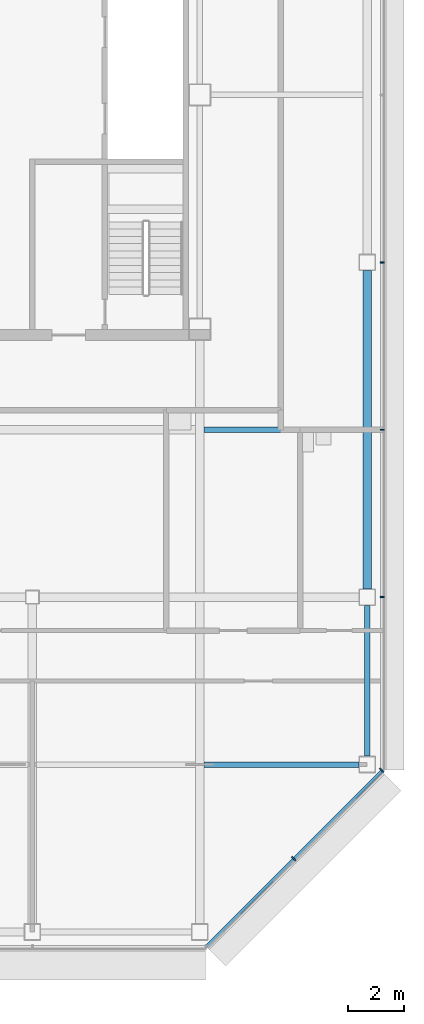
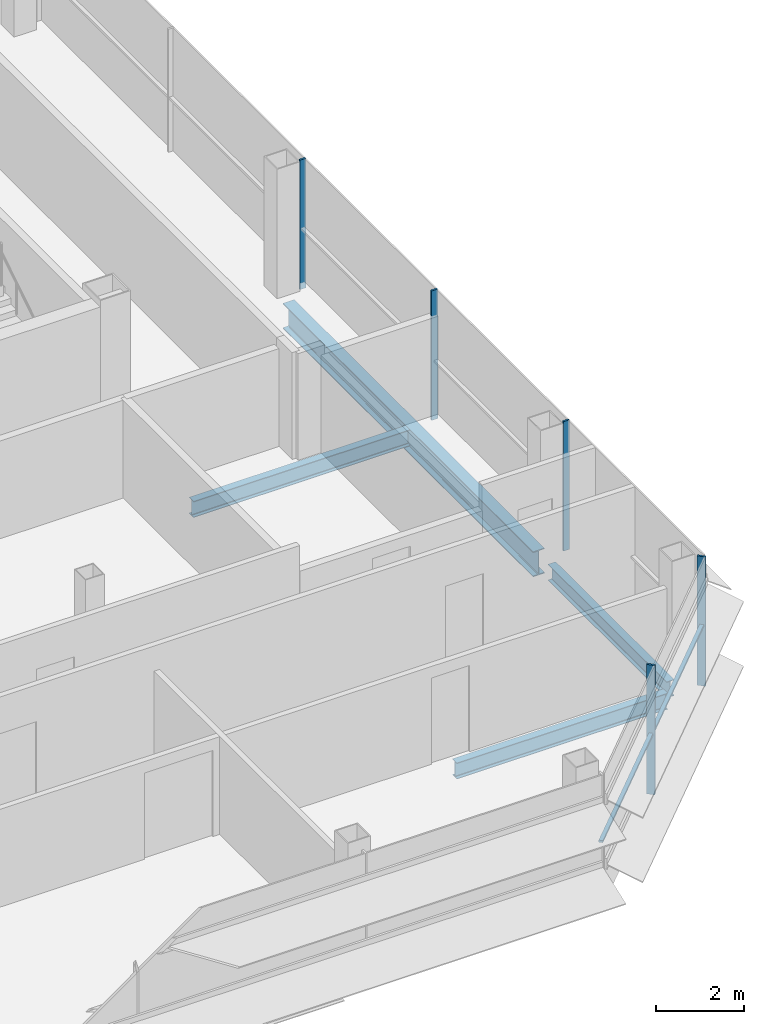
# One storey, part 16 of 27: 6 members, 4 beams, 2 elements without a shape of their own.
"""IFC4 building model written with IfcOpenShell, lengths in metres."""

from ifc_helpers import new_model, si_unit, direction, frame, origin, origin_2d, place, context, subcontext, project, spatial, rectangle, i_section, extrude, material, material_profile, profile_set, type_object, element, aggregate, save


model = new_model("IFC4")

# Units and contexts
model_context = context("Model", 3, precision=1e-05, world=origin(), true_north=direction((0.0, 1.0)))
body_context = subcontext(model_context, "Body", "Model", "MODEL_VIEW")
ifc_project = project(units=[si_unit("LENGTHUNIT", "METRE"), si_unit("AREAUNIT", "SQUARE_METRE"), si_unit("VOLUMEUNIT", "CUBIC_METRE"), si_unit("PLANEANGLEUNIT", "RADIAN"), si_unit("MASSUNIT", "GRAM", prefix="KILO")], contexts=[model_context])

# Site, building, storey
site_placement = place(None, origin())
site = spatial("IfcSite", under=ifc_project, at=site_placement, CompositionType="ELEMENT")
building_placement = place(site_placement, origin())
building = spatial("IfcBuilding", under=site, at=building_placement, Name="Sorahane Residences", CompositionType="ELEMENT")
storey_placement = place(building_placement, frame((0.0, 0.0, 294.39990234375)))
storey = spatial("IfcBuildingStorey", under=building, at=storey_placement, Name="L69", CompositionType="ELEMENT", Elevation=294.39990234375)

# Curtain wall, members
ifc_material_1 = material(Name="Dark low-e glass and black anodised aluminium", Category="aluminium")
curtain_wall_type_1 = type_object("IfcCurtainWallType", Name="Curtain wall CW-1 Typical unitised wall", PredefinedType="NOTDEFINED", material=ifc_material_1)
curtain_wall_1_placement = place(storey_placement, origin())
curtain_wall_1 = element("IfcCurtainWall", 1, at=curtain_wall_1_placement, inside=storey, type_object=curtain_wall_type_1, Name="CW-1 curtain wall L69 E1", PredefinedType="NOTDEFINED")
ifc_material_2 = material(Name="Black anodised aluminium", Category="aluminium")
ifc_material_profile_1 = material_profile(ifc_material_2, rectangle(XDim=0.159912109375, YDim=0.050048828125, at=origin_2d()), Name="Curtain wall mullion CW-1 black anodised aluminium 50x160")
ifc_profile_set_1 = profile_set([ifc_material_profile_1], Name="Black anodised aluminium")
member_type_1 = type_object("IfcMemberType", Name="Curtain wall mullion CW-1 black anodised aluminium 50x160", PredefinedType="MULLION", material=ifc_profile_set_1)
member_1_placement = place(storey_placement, frame((48.5400390625, 12.0, -0.179931640625), z_axis=(0.0, 0.0, 1.0), x_axis=(1.0, 0.0, 0.0)))
member_1 = element("IfcMember", 2, at=member_1_placement, type_object=member_type_1, Name="CW-1 mullion L69 E1.2", PredefinedType="MULLION", context=body_context, shape_type="SweptSolid", body=[
    extrude(rectangle(XDim=0.159912109375, YDim=0.050048828125, at=origin_2d()), origin(), (0.0, 0.0, 1.0), 3.60009765625),
])
member_2_placement = place(storey_placement, frame((48.5400390625, 18.0, -0.179931640625), z_axis=(0.0, 0.0, 1.0), x_axis=(1.0, 0.0, 0.0)))
member_2 = element("IfcMember", 3, at=member_2_placement, type_object=member_type_1, Name="CW-1 mullion L69 E1.3", PredefinedType="MULLION", context=body_context, shape_type="SweptSolid", body=[
    extrude(rectangle(XDim=0.159912109375, YDim=0.050048828125, at=origin_2d()), origin(), (0.0, 0.0, 1.0), 3.60009765625),
])
member_3_placement = place(storey_placement, frame((48.5400390625, 24.0, -0.179931640625), z_axis=(0.0, 0.0, 1.0), x_axis=(1.0, 0.0, 0.0)))
member_3 = element("IfcMember", 4, at=member_3_placement, type_object=member_type_1, Name="CW-1 mullion L69 E1.4", PredefinedType="MULLION", context=body_context, shape_type="SweptSolid", body=[
    extrude(rectangle(XDim=0.159912109375, YDim=0.050048828125, at=origin_2d()), origin(), (0.0, 0.0, 1.0), 3.60009765625),
])
aggregate(curtain_wall_1, [member_1, member_2, member_3])

ifc_material_3 = material(Name="Dark low-e glass and black anodised aluminium", Category="aluminium")
curtain_wall_type_2 = type_object("IfcCurtainWallType", Name="Curtain wall CW-2 Chamfer unitised wall", PredefinedType="NOTDEFINED", material=ifc_material_3)
curtain_wall_2_placement = place(storey_placement, origin())
curtain_wall_2 = element("IfcCurtainWall", 5, at=curtain_wall_2_placement, inside=storey, type_object=curtain_wall_type_2, Name="CW-2 curtain wall L69 SE1", PredefinedType="NOTDEFINED")
ifc_material_4 = material(Name="Black anodised aluminium", Category="aluminium")
ifc_material_profile_2 = material_profile(ifc_material_4, rectangle(XDim=0.199951171875, YDim=0.050048828125, at=origin_2d()), Name="Curtain wall mullion CW-2 black anodised aluminium 50x200")
ifc_profile_set_2 = profile_set([ifc_material_profile_2], Name="Black anodised aluminium")
member_type_2 = type_object("IfcMemberType", Name="Curtain wall mullion CW-2 black anodised aluminium 50x200", PredefinedType="MULLION", material=ifc_profile_set_2)
member_4_placement = place(storey_placement, frame((45.36767578125, 2.63232421875, -0.179931640625), z_axis=(0.0, 0.0, 1.0), x_axis=(0.707106781187, -0.707106781187, 0.0)))
member_4 = element("IfcMember", 6, at=member_4_placement, type_object=member_type_2, Name="CW-2 mullion L69 SE1.2", PredefinedType="MULLION", context=body_context, shape_type="SweptSolid", body=[
    extrude(rectangle(XDim=0.199951171875, YDim=0.050048828125, at=origin_2d()), origin(), (0.0, 0.0, 1.0), 3.60009765625),
])
member_5_placement = place(storey_placement, frame((48.525634765625, 5.790283203125, -0.179931640625), z_axis=(0.0, 0.0, 1.0), x_axis=(0.707106781187, -0.707106781187, 0.0)))
member_5 = element("IfcMember", 7, at=member_5_placement, type_object=member_type_2, Name="CW-2 mullion L69 SE1.3", PredefinedType="MULLION", context=body_context, shape_type="SweptSolid", body=[
    extrude(rectangle(XDim=0.199951171875, YDim=0.050048828125, at=origin_2d()), origin(), (0.0, 0.0, 1.0), 3.60009765625),
])
ifc_material_5 = material(Name="Black anodised aluminium", Category="aluminium")
ifc_material_profile_3 = material_profile(ifc_material_5, rectangle(XDim=0.10009765625, YDim=0.06005859375, at=origin_2d()), Name="Curtain wall transom CW-2 black anodised aluminium 60x100")
ifc_profile_set_3 = profile_set([ifc_material_profile_3], Name="Black anodised aluminium")
member_type_3 = type_object("IfcMemberType", Name="Curtain wall transom CW-2 black anodised aluminium 60x100", PredefinedType="USERDEFINED", material=ifc_profile_set_3)
member_6_placement = place(storey_placement, frame((42.234375, -0.51513671875, 1.5), z_axis=(0.707106781187, 0.707106781187, 0.0), x_axis=(-0.707106781187, 0.707106781187, 0.0)))
member_6 = element("IfcMember", 8, at=member_6_placement, type_object=member_type_3, Name="CW-2 transom L69 SE1", ObjectType="TRANSOM", PredefinedType="USERDEFINED", context=body_context, shape_type="SweptSolid", body=[
    extrude(rectangle(XDim=0.10009765625, YDim=0.06005859375, at=origin_2d()), origin(), (0.0, 0.0, 1.0), 8.88232421875),
])
aggregate(curtain_wall_2, [member_4, member_5, member_6])

# Beams
ifc_material_6 = material(Name="Steel Q355B", Category="steel")
ifc_material_profile_4 = material_profile(ifc_material_6, i_section(OverallWidth=0.199951171875, OverallDepth=0.449951171875, WebThickness=0.009033203125, FlangeThickness=0.013916015625, FilletRadius=0.02001953125, at=origin_2d()), Name="HN 450x200x9x14")
ifc_profile_set_4 = profile_set([ifc_material_profile_4], Name="Steel Q355B")
beam_type_1 = type_object("IfcBeamType", Name="Steel floor beam HN 450x200x9x14 Q355B", PredefinedType="BEAM", material=ifc_profile_set_4)
beam_1_placement = place(storey_placement, frame((48.0, 6.300048828125, -0.40478515625), z_axis=(0.0, 1.0, 0.0), x_axis=(-1.0, 0.0, 0.0)))
element("IfcBeam", 9, at=beam_1_placement, inside=storey, type_object=beam_type_1, Name="Beam L69 062", PredefinedType="BEAM", context=body_context, shape_type="SweptSolid", body=[
    extrude(i_section(OverallWidth=0.199951171875, OverallDepth=0.449951171875, WebThickness=0.009033203125, FlangeThickness=0.013916015625, FilletRadius=0.02001953125, at=origin_2d()), origin(), (0.0, 0.0, 1.0), 5.39990234375),
])
beam_2_placement = place(storey_placement, frame((42.14990234375, 6.0, -0.40478515625), z_axis=(1.0, 0.0, 0.0), x_axis=(0.0, 1.0, 0.0)))
element("IfcBeam", 10, at=beam_2_placement, inside=storey, type_object=beam_type_1, Name="Beam L69 075", PredefinedType="BEAM", context=body_context, shape_type="SweptSolid", body=[
    extrude(i_section(OverallWidth=0.199951171875, OverallDepth=0.449951171875, WebThickness=0.009033203125, FlangeThickness=0.013916015625, FilletRadius=0.02001953125, at=origin_2d()), origin(), (0.0, 0.0, 1.0), 5.550048828125),
])
beam_3_placement = place(storey_placement, frame((42.14990234375, 18.0, -0.40478515625), z_axis=(1.0, 0.0, 0.0), x_axis=(0.0, 1.0, 0.0)))
element("IfcBeam", 11, at=beam_3_placement, inside=storey, type_object=beam_type_1, Name="Beam L69 082", PredefinedType="BEAM", context=body_context, shape_type="SweptSolid", body=[
    extrude(i_section(OverallWidth=0.199951171875, OverallDepth=0.449951171875, WebThickness=0.009033203125, FlangeThickness=0.013916015625, FilletRadius=0.02001953125, at=origin_2d()), origin(), (0.0, 0.0, 1.0), 5.7001953125),
])
ifc_material_7 = material(Name="Steel Q355B", Category="steel")
ifc_material_profile_5 = material_profile(ifc_material_7, i_section(OverallWidth=0.300048828125, OverallDepth=0.699951171875, WebThickness=0.012939453125, FlangeThickness=0.02392578125, FilletRadius=0.028076171875, at=origin_2d()), Name="HN 700x300x13x24")
ifc_profile_set_5 = profile_set([ifc_material_profile_5], Name="Steel Q355B")
beam_type_2 = type_object("IfcBeamType", Name="Steel floor beam HN 700x300x13x24 Q355B", PredefinedType="BEAM", material=ifc_profile_set_5)
beam_4_placement = place(storey_placement, frame((48.0, 12.300048828125, -0.52978515625), z_axis=(0.0, 1.0, 0.0), x_axis=(-1.0, 0.0, 0.0)))
element("IfcBeam", 12, at=beam_4_placement, inside=storey, type_object=beam_type_2, Name="Beam L69 063", PredefinedType="BEAM", context=body_context, shape_type="SweptSolid", body=[
    extrude(i_section(OverallWidth=0.300048828125, OverallDepth=0.699951171875, WebThickness=0.012939453125, FlangeThickness=0.02392578125, FilletRadius=0.028076171875, at=origin_2d()), origin(), (0.0, 0.0, 1.0), 11.39990234375),
])

save(model, "model.ifc")
